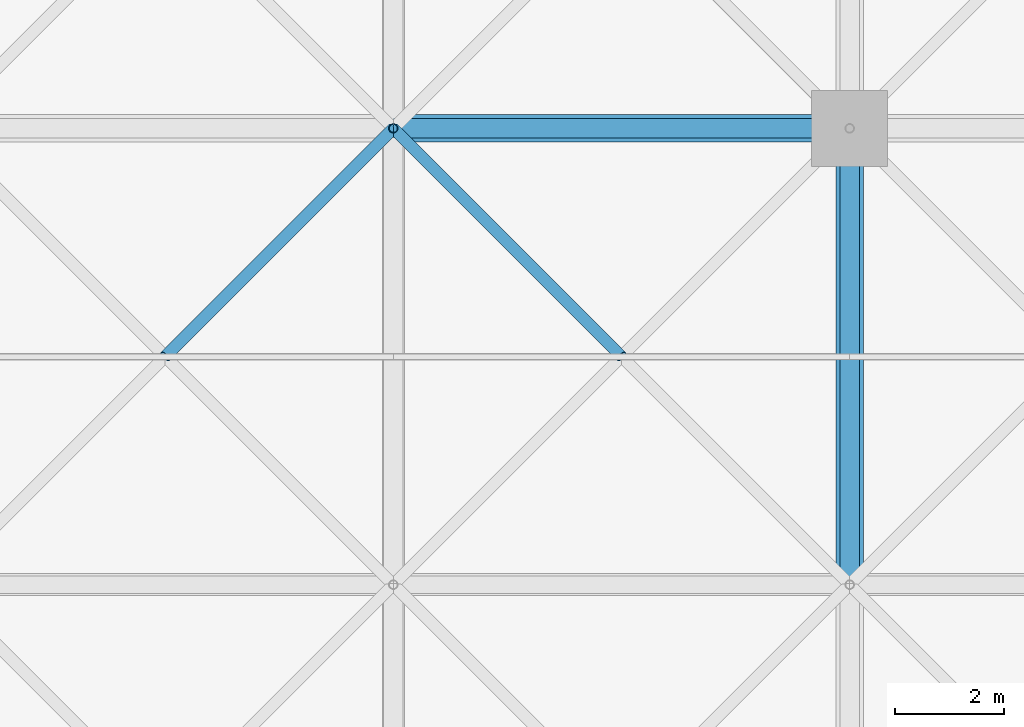
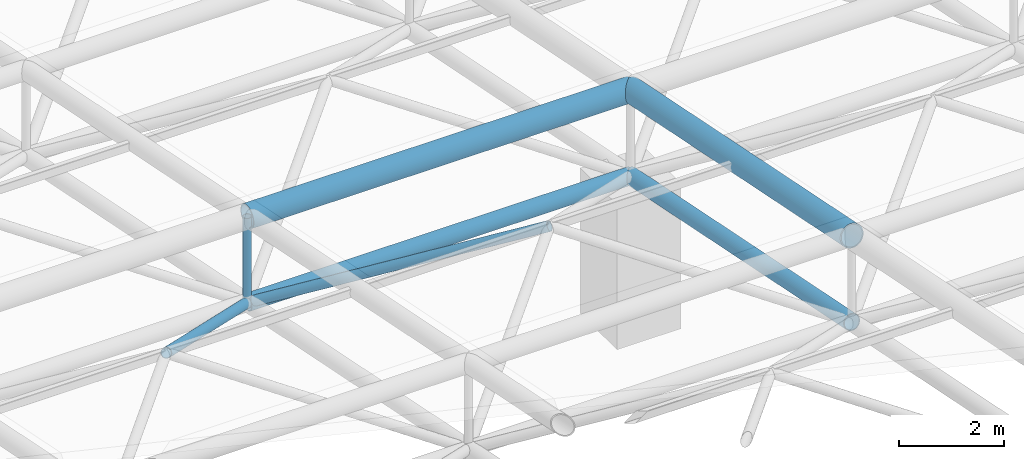
# One storey, part 45 of 81: 7 members.
"""IFC4 building model written with IfcOpenShell, lengths in metres."""

from ifc_helpers import new_model, si_unit, direction, frame, origin, origin_2d, place, context, subcontext, project, spatial, hollow_circle, extrude, material, material_profile, profile_set, type_object, element, save


model = new_model("IFC4")

# Units and contexts
model_context = context("Model", 3, precision=1e-05, world=origin(), true_north=direction((0.0, 1.0)))
body_context = subcontext(model_context, "Body", "Model", "MODEL_VIEW")
ifc_project = project(units=[si_unit("LENGTHUNIT", "METRE"), si_unit("AREAUNIT", "SQUARE_METRE"), si_unit("VOLUMEUNIT", "CUBIC_METRE"), si_unit("PLANEANGLEUNIT", "RADIAN"), si_unit("MASSUNIT", "GRAM", prefix="KILO")], contexts=[model_context])

# Site, building, storey
site_placement = place(None, origin())
site = spatial("IfcSite", under=ifc_project, at=site_placement, CompositionType="ELEMENT")
building_placement = place(site_placement, origin())
building = spatial("IfcBuilding", under=site, at=building_placement, Name="Qawsi Khor Wholesale Market", CompositionType="ELEMENT")
storey_placement = place(building_placement, frame((0.0, 0.0, 16.199951171875)))
storey = spatial("IfcBuildingStorey", under=building, at=storey_placement, Name="L03", CompositionType="ELEMENT", Elevation=16.199951171875)

# Members
ifc_material = material(Name="Steel S355", Category="steel")
ifc_material_profile_1 = material_profile(ifc_material, hollow_circle(Radius=0.177734375, WallThickness=0.01611328125, at=origin_2d()), Name="CHS 355.6x16.0")
ifc_profile_set_1 = profile_set([ifc_material_profile_1], Name="Steel S355")
member_type_1 = type_object("IfcMemberType", Name="Space-Frame Bottom Chord CHS 355.6x16.0", PredefinedType="CHORD", material=ifc_profile_set_1)
member_1_placement = place(storey_placement, frame((50.39990234375, 92.39990234375, 3.3701171875), z_axis=(1.0, 0.0, 0.0), x_axis=(0.0, 1.0, 0.0)))
element("IfcMember", 1, at=member_1_placement, inside=storey, type_object=member_type_1, Name="Space frame bottom chord X WH (6,11)", PredefinedType="CHORD", context=body_context, shape_type="SweptSolid", body=[
    extrude(hollow_circle(Radius=0.177734375, WallThickness=0.01611328125, at=origin_2d()), origin(), (0.0, 0.0, 1.0), 8.400146484375),
])
member_2_placement = place(storey_placement, frame((58.800048828125, 84.0, 5.070068359375), z_axis=(0.0, 0.980129990483, -0.1983562496), x_axis=(-1.0, 0.0, 0.0)))
element("IfcMember", 2, at=member_2_placement, inside=storey, type_object=member_type_1, Name="Space frame bottom chord Y WH (7,10)", PredefinedType="CHORD", context=body_context, shape_type="SweptSolid", body=[
    extrude(hollow_circle(Radius=0.177734375, WallThickness=0.01611328125, at=origin_2d()), origin(), (0.0, 0.0, 1.0), 8.5703125),
])
ifc_material_profile_2 = material_profile(ifc_material, hollow_circle(Radius=0.109619140625, WallThickness=0.010009765625, at=origin_2d()), Name="CHS 219.1x10.0")
ifc_profile_set_2 = profile_set([ifc_material_profile_2], Name="Steel S355")
member_type_2 = type_object("IfcMemberType", Name="Space-Frame Inner Diagonal CHS 219.1x10.0", PredefinedType="RAFTER", material=ifc_profile_set_2)
member_3_placement = place(storey_placement, frame((50.39990234375, 92.39990234375, 3.3701171875), z_axis=(-0.637521961484, -0.637521961484, 0.432586982294), x_axis=(0.707106781187, -0.707106781187, 0.0)))
element("IfcMember", 3, at=member_3_placement, inside=storey, type_object=member_type_2, Name="Space frame diagonal WH (5,10)-3", PredefinedType="RAFTER", context=body_context, shape_type="SweptSolid", body=[
    extrude(hollow_circle(Radius=0.109619140625, WallThickness=0.010009765625, at=origin_2d()), origin(), (0.0, 0.0, 1.0), 6.587890625),
])
member_4_placement = place(storey_placement, frame((50.39990234375, 92.39990234375, 3.3701171875), z_axis=(0.637543957519, -0.637506899628, 0.432576762155), x_axis=(0.70708622964, 0.707127332136, 0.0)))
element("IfcMember", 4, at=member_4_placement, inside=storey, type_object=member_type_2, Name="Space frame diagonal WH (6,10)-4", PredefinedType="RAFTER", context=body_context, shape_type="SweptSolid", body=[
    extrude(hollow_circle(Radius=0.109619140625, WallThickness=0.010009765625, at=origin_2d()), origin(), (0.0, 0.0, 1.0), 6.588134765625),
])
ifc_material_profile_3 = material_profile(ifc_material, hollow_circle(Radius=0.25390625, WallThickness=0.02490234375, at=origin_2d()), Name="CHS 508.0x25.0")
ifc_profile_set_3 = profile_set([ifc_material_profile_3], Name="Steel S355")
member_type_3 = type_object("IfcMemberType", Name="Space-Frame Main Chord CHS 508.0x25.0", PredefinedType="CHORD", material=ifc_profile_set_3)
member_5_placement = place(storey_placement, frame((50.39990234375, 92.39990234375, 5.3701171875), z_axis=(1.0, 0.0, 0.0), x_axis=(0.0, 1.0, 0.0)))
element("IfcMember", 5, at=member_5_placement, inside=storey, type_object=member_type_3, Name="Space frame top chord X WH (6,11)", PredefinedType="CHORD", context=body_context, shape_type="SweptSolid", body=[
    extrude(hollow_circle(Radius=0.25390625, WallThickness=0.02490234375, at=origin_2d()), origin(), (0.0, 0.0, 1.0), 8.400146484375),
])
member_6_placement = place(storey_placement, frame((58.800048828125, 84.0, 7.070068359375), z_axis=(0.0, 0.980129990483, -0.1983562496), x_axis=(-1.0, 0.0, 0.0)))
element("IfcMember", 6, at=member_6_placement, inside=storey, type_object=member_type_3, Name="Space frame top chord Y WH (7,10)", PredefinedType="CHORD", context=body_context, shape_type="SweptSolid", body=[
    extrude(hollow_circle(Radius=0.25390625, WallThickness=0.02490234375, at=origin_2d()), origin(), (0.0, 0.0, 1.0), 8.5703125),
])
ifc_material_profile_4 = material_profile(ifc_material, hollow_circle(Radius=0.084228515625, WallThickness=0.008056640625, at=origin_2d()), Name="CHS 168.3x8.0")
ifc_profile_set_4 = profile_set([ifc_material_profile_4], Name="Steel S355")
member_type_4 = type_object("IfcMemberType", Name="Space-Frame Vertical Strut CHS 168.3x8.0", PredefinedType="STRUT", material=ifc_profile_set_4)
member_7_placement = place(storey_placement, frame((50.39990234375, 92.39990234375, 3.3701171875), z_axis=(0.0, 0.0, 1.0), x_axis=(1.0, 0.0, 0.0)))
element("IfcMember", 7, at=member_7_placement, inside=storey, type_object=member_type_4, Name="Space frame post WH (6,11)", PredefinedType="STRUT", context=body_context, shape_type="SweptSolid", body=[
    extrude(hollow_circle(Radius=0.084228515625, WallThickness=0.008056640625, at=origin_2d()), origin(), (0.0, 0.0, 1.0), 2.0),
])

save(model, "model.ifc")
